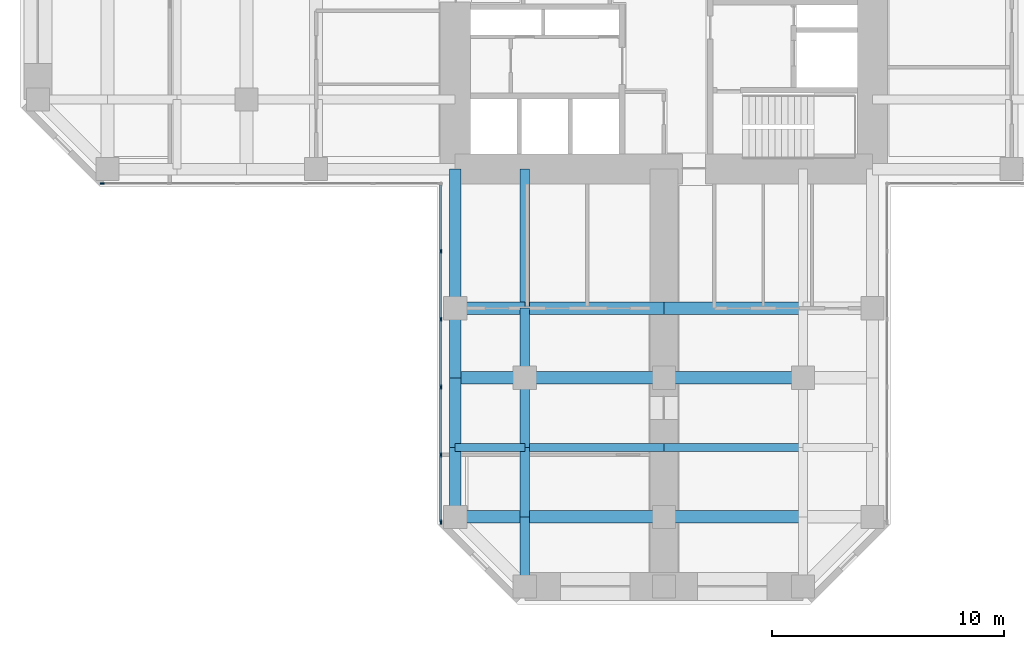
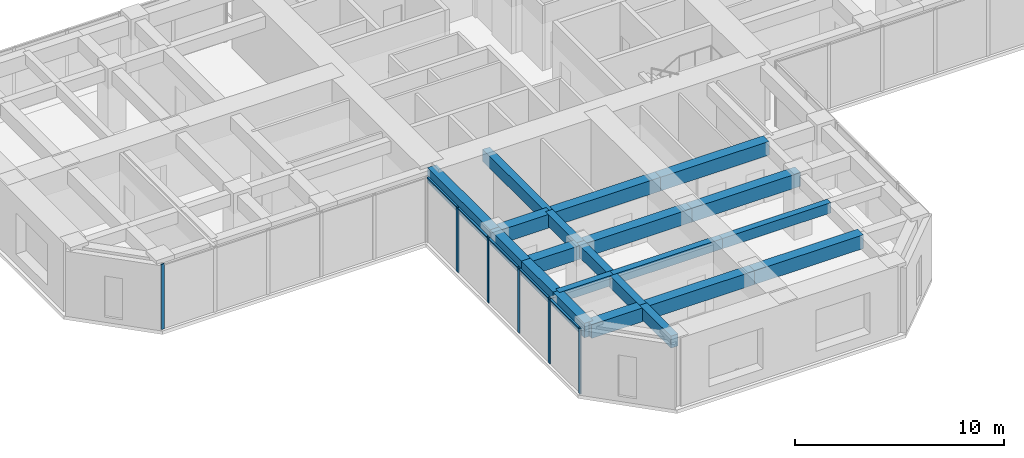
# One storey, part 2 of 12: 21 beams, 11 members, 2 elements without a shape of their own.
"""IFC4 building model written with IfcOpenShell, lengths in metres."""

from ifc_helpers import new_model, si_unit, direction, frame, origin, origin_2d, place, context, subcontext, project, spatial, rectangle, extrude, material, material_profile, profile_set, type_object, element, aggregate, save


model = new_model("IFC4")

# Units and contexts
model_context = context("Model", 3, precision=1e-05, world=origin(), true_north=direction((0.0, 1.0)))
body_context = subcontext(model_context, "Body", "Model", "MODEL_VIEW")
ifc_project = project(units=[si_unit("LENGTHUNIT", "METRE"), si_unit("AREAUNIT", "SQUARE_METRE"), si_unit("VOLUMEUNIT", "CUBIC_METRE"), si_unit("PLANEANGLEUNIT", "RADIAN"), si_unit("MASSUNIT", "GRAM", prefix="KILO")], contexts=[model_context])

# Site, building, storey
site_placement = place(None, origin())
site = spatial("IfcSite", under=ifc_project, at=site_placement, CompositionType="ELEMENT")
building_placement = place(site_placement, origin())
building = spatial("IfcBuilding", under=site, at=building_placement, Name="Torre Cruceta", CompositionType="ELEMENT")
storey_placement = place(building_placement, frame((0.0, 0.0, 140.5)))
storey = spatial("IfcBuildingStorey", under=building, at=storey_placement, Name="L34", CompositionType="ELEMENT", Elevation=140.5)

# Beams
ifc_material_1 = material(Name="Concrete G60 (fck 60 MPa)", Category="concrete")
ifc_material_profile_1 = material_profile(ifc_material_1, rectangle(XDim=0.39990234375, YDim=0.699951171875, at=origin_2d()), Name="RC 400X700")
ifc_profile_set_1 = profile_set([ifc_material_profile_1], Name="Concrete G60 (fck 60 MPa)")
beam_type_1 = type_object("IfcBeamType", Name="COLUMN LINE BEAM RC 400X700", PredefinedType="BEAM", material=ifc_profile_set_1)
beam_1_placement = place(storey_placement, frame((-6.0, -9.0, 3.449951171875), z_axis=(0.0, -1.0, 0.0), x_axis=(1.0, 0.0, 0.0)))
element("IfcBeam", 1, at=beam_1_placement, inside=storey, type_object=beam_type_1, Name="LB5 L34 S col- 1", PredefinedType="BEAM", context=body_context, shape_type="SweptSolid", body=[
    extrude(rectangle(XDim=0.39990234375, YDim=0.699951171875, at=origin_2d()), origin(), (0.0, 0.0, 1.0), 6.0),
])
for number, where, z_axis, x_axis, name in (
    (2, (-6.0, -15.0, 3.449951171875), (0.0, -1.0, 0.0), (1.0, 0.0, 0.0), "LB5 L34 S col- 2"),
    (3, (-6.0, -18.0, 3.449951171875), (0.0, -1.0, 0.0), (1.0, 0.0, 0.0), "LB5 L34 S col- 3"),
    (4, (-6.0, -21.0, 3.449951171875), (0.0, -1.0, 0.0), (1.0, 0.0, 0.0), "LB5 L34 S col- 4"),
    (5, (-6.0, -24.0, 3.449951171875), (0.0, -1.0, 0.0), (1.0, 0.0, 0.0), "LB5 L34 S col- 5"),
):
    element("IfcBeam", number, at=place(storey_placement, frame(where, z_axis=z_axis, x_axis=x_axis)), inside=storey, type_object=beam_type_1, Name=name, PredefinedType="BEAM", context=body_context, shape_type="SweptSolid", body=[
        extrude(rectangle(XDim=0.39990234375, YDim=0.699951171875, at=origin_2d()), origin(), (0.0, 0.0, 1.0), 3.0),
    ])
ifc_material_2 = material(Name="Concrete G60 (fck 60 MPa)", Category="concrete")
ifc_material_profile_2 = material_profile(ifc_material_2, rectangle(XDim=0.550048828125, YDim=0.800048828125, at=origin_2d()), Name="RC 550X800")
ifc_profile_set_2 = profile_set([ifc_material_profile_2], Name="Concrete G60 (fck 60 MPa)")
beam_type_2 = type_object("IfcBeamType", Name="CROSS BEAM RC 550X800", PredefinedType="BEAM", material=ifc_profile_set_2)
beam_2_placement = place(storey_placement, frame((-9.0, -15.0, 3.39990234375), z_axis=(1.0, 0.0, 0.0), x_axis=(0.0, 1.0, 0.0)))
element("IfcBeam", 6, at=beam_2_placement, inside=storey, type_object=beam_type_2, Name="GB5 L34 S cross15 1", PredefinedType="BEAM", context=body_context, shape_type="SweptSolid", body=[
    extrude(rectangle(XDim=0.550048828125, YDim=0.800048828125, at=origin_2d()), origin(), (0.0, 0.0, 1.0), 3.0),
])
for number, where, z_axis, x_axis, name in (
    (7, (-6.0, -15.0, 3.39990234375), (1.0, 0.0, 0.0), (0.0, 1.0, 0.0), "GB5 L34 S cross15 2"),
    (8, (0.0, -15.0, 3.39990234375), (1.0, 0.0, 0.0), (0.0, 1.0, 0.0), "GB5 L34 S cross15 3"),
):
    element("IfcBeam", number, at=place(storey_placement, frame(where, z_axis=z_axis, x_axis=x_axis)), inside=storey, type_object=beam_type_2, Name=name, PredefinedType="BEAM", context=body_context, shape_type="SweptSolid", body=[
        extrude(rectangle(XDim=0.550048828125, YDim=0.800048828125, at=origin_2d()), origin(), (0.0, 0.0, 1.0), 6.0),
    ])
beam_3_placement = place(storey_placement, frame((-9.0, -18.0, 3.39990234375), z_axis=(1.0, 0.0, 0.0), x_axis=(0.0, 1.0, 0.0)))
element("IfcBeam", 9, at=beam_3_placement, inside=storey, type_object=beam_type_2, Name="GB5 L34 S cross18 1", PredefinedType="BEAM", context=body_context, shape_type="SweptSolid", body=[
    extrude(rectangle(XDim=0.550048828125, YDim=0.800048828125, at=origin_2d()), origin(), (0.0, 0.0, 1.0), 3.0),
])
for number, where, z_axis, x_axis, name in (
    (10, (-6.0, -18.0, 3.39990234375), (1.0, 0.0, 0.0), (0.0, 1.0, 0.0), "GB5 L34 S cross18 2"),
    (11, (0.0, -18.0, 3.39990234375), (1.0, 0.0, 0.0), (0.0, 1.0, 0.0), "GB5 L34 S cross18 3"),
):
    element("IfcBeam", number, at=place(storey_placement, frame(where, z_axis=z_axis, x_axis=x_axis)), inside=storey, type_object=beam_type_2, Name=name, PredefinedType="BEAM", context=body_context, shape_type="SweptSolid", body=[
        extrude(rectangle(XDim=0.550048828125, YDim=0.800048828125, at=origin_2d()), origin(), (0.0, 0.0, 1.0), 6.0),
    ])
beam_4_placement = place(storey_placement, frame((-9.0, -24.0, 3.39990234375), z_axis=(1.0, 0.0, 0.0), x_axis=(0.0, 1.0, 0.0)))
element("IfcBeam", 12, at=beam_4_placement, inside=storey, type_object=beam_type_2, Name="GB5 L34 S cross24 1", PredefinedType="BEAM", context=body_context, shape_type="SweptSolid", body=[
    extrude(rectangle(XDim=0.550048828125, YDim=0.800048828125, at=origin_2d()), origin(), (0.0, 0.0, 1.0), 3.0),
])
for number, where, z_axis, x_axis, name in (
    (13, (-6.0, -24.0, 3.39990234375), (1.0, 0.0, 0.0), (0.0, 1.0, 0.0), "GB5 L34 S cross24 2"),
    (14, (0.0, -24.0, 3.39990234375), (1.0, 0.0, 0.0), (0.0, 1.0, 0.0), "GB5 L34 S cross24 3"),
):
    element("IfcBeam", number, at=place(storey_placement, frame(where, z_axis=z_axis, x_axis=x_axis)), inside=storey, type_object=beam_type_2, Name=name, PredefinedType="BEAM", context=body_context, shape_type="SweptSolid", body=[
        extrude(rectangle(XDim=0.550048828125, YDim=0.800048828125, at=origin_2d()), origin(), (0.0, 0.0, 1.0), 6.0),
    ])

# Curtain wall, member
ifc_material_3 = material(Name="Aluminium unitised curtain wall", Category="aluminium")
curtain_wall_type = type_object("IfcCurtainWallType", Name="CURTAIN WALL CW-B OFFICE MID RISE", PredefinedType="USERDEFINED", material=ifc_material_3)
curtain_wall_1_placement = place(storey_placement, origin())
curtain_wall_1 = element("IfcCurtainWall", 15, at=curtain_wall_1_placement, inside=storey, type_object=curtain_wall_type, Name="CW-B L34 W side 14", ObjectType="UNITISED", PredefinedType="USERDEFINED")
ifc_material_4 = material(Name="Aluminium mullion", Category="aluminium")
ifc_material_profile_3 = material_profile(ifc_material_4, rectangle(XDim=0.06494140625, YDim=0.179931640625, at=origin_2d()), Name="AL 65X180")
ifc_profile_set_3 = profile_set([ifc_material_profile_3], Name="Aluminium mullion")
member_type_1 = type_object("IfcMemberType", Name="CW-B MULLION 65X180", PredefinedType="MULLION", material=ifc_profile_set_3)
member_1_placement = place(storey_placement, frame((-24.224365234375, -9.6201171875, 0.0), z_axis=(0.0, 0.0, 1.0), x_axis=(0.0, 1.0, 0.0)))
member_1 = element("IfcMember", 16, at=member_1_placement, type_object=member_type_1, Name="CW-B mullion 1", PredefinedType="MULLION", context=body_context, shape_type="SweptSolid", body=[
    extrude(rectangle(XDim=0.06494140625, YDim=0.179931640625, at=origin_2d()), origin(), (0.0, 0.0, 1.0), 3.800048828125),
])
aggregate(curtain_wall_1, [member_1])

# Curtain wall, members
curtain_wall_2_placement = place(storey_placement, origin())
curtain_wall_2 = element("IfcCurtainWall", 17, at=curtain_wall_2_placement, inside=storey, type_object=curtain_wall_type, Name="CW-B L34 S side 15", ObjectType="UNITISED", PredefinedType="USERDEFINED")
member_2_placement = place(storey_placement, frame((-9.6201171875, -12.54736328125, 0.0), z_axis=(0.0, 0.0, 1.0), x_axis=(1.0, 0.0, 0.0)))
member_2 = element("IfcMember", 18, at=member_2_placement, type_object=member_type_1, Name="CW-B mullion 2", PredefinedType="MULLION", context=body_context, shape_type="SweptSolid", body=[
    extrude(rectangle(XDim=0.06494140625, YDim=0.179931640625, at=origin_2d()), origin(), (0.0, 0.0, 1.0), 3.800048828125),
])
member_3_placement = place(storey_placement, frame((-9.6201171875, -15.474609375, 0.0), z_axis=(0.0, 0.0, 1.0), x_axis=(1.0, 0.0, 0.0)))
member_3 = element("IfcMember", 19, at=member_3_placement, type_object=member_type_1, Name="CW-B mullion 3", PredefinedType="MULLION", context=body_context, shape_type="SweptSolid", body=[
    extrude(rectangle(XDim=0.06494140625, YDim=0.179931640625, at=origin_2d()), origin(), (0.0, 0.0, 1.0), 3.800048828125),
])
member_4_placement = place(storey_placement, frame((-9.6201171875, -18.402099609375, 0.0), z_axis=(0.0, 0.0, 1.0), x_axis=(1.0, 0.0, 0.0)))
member_4 = element("IfcMember", 20, at=member_4_placement, type_object=member_type_1, Name="CW-B mullion 4", PredefinedType="MULLION", context=body_context, shape_type="SweptSolid", body=[
    extrude(rectangle(XDim=0.06494140625, YDim=0.179931640625, at=origin_2d()), origin(), (0.0, 0.0, 1.0), 3.800048828125),
])
member_5_placement = place(storey_placement, frame((-9.6201171875, -21.329345703125, 0.0), z_axis=(0.0, 0.0, 1.0), x_axis=(1.0, 0.0, 0.0)))
member_5 = element("IfcMember", 21, at=member_5_placement, type_object=member_type_1, Name="CW-B mullion 5", PredefinedType="MULLION", context=body_context, shape_type="SweptSolid", body=[
    extrude(rectangle(XDim=0.06494140625, YDim=0.179931640625, at=origin_2d()), origin(), (0.0, 0.0, 1.0), 3.800048828125),
])
member_6_placement = place(storey_placement, frame((-9.6201171875, -24.224365234375, 0.0), z_axis=(0.0, 0.0, 1.0), x_axis=(1.0, 0.0, 0.0)))
member_6 = element("IfcMember", 22, at=member_6_placement, type_object=member_type_1, Name="CW-B mullion 6", PredefinedType="MULLION", context=body_context, shape_type="SweptSolid", body=[
    extrude(rectangle(XDim=0.06494140625, YDim=0.179931640625, at=origin_2d()), origin(), (0.0, 0.0, 1.0), 3.800048828125),
])
ifc_material_5 = material(Name="Aluminium transom", Category="aluminium")
ifc_material_profile_4 = material_profile(ifc_material_5, rectangle(XDim=0.110107421875, YDim=0.06494140625, at=origin_2d()), Name="AL 110X65")
ifc_profile_set_4 = profile_set([ifc_material_profile_4], Name="Aluminium transom")
member_type_2 = type_object("IfcMemberType", Name="CW-B TRANSOM 65X110", PredefinedType="USERDEFINED", material=ifc_profile_set_4)
member_7_placement = place(storey_placement, frame((-9.6201171875, -9.68505859375, 3.767578125), z_axis=(0.0, -1.0, 0.0), x_axis=(1.0, 0.0, 0.0)))
member_7 = element("IfcMember", 23, at=member_7_placement, type_object=member_type_2, Name="CW-B transom 1", ObjectType="TRANSOM", PredefinedType="USERDEFINED", context=body_context, shape_type="SweptSolid", body=[
    extrude(rectangle(XDim=0.110107421875, YDim=0.06494140625, at=origin_2d()), origin(), (0.0, 0.0, 1.0), 2.829833984375),
])
member_8_placement = place(storey_placement, frame((-9.6201171875, -12.579833984375, 3.767578125), z_axis=(0.0, -1.0, 0.0), x_axis=(1.0, 0.0, 0.0)))
member_8 = element("IfcMember", 24, at=member_8_placement, type_object=member_type_2, Name="CW-B transom 2", ObjectType="TRANSOM", PredefinedType="USERDEFINED", context=body_context, shape_type="SweptSolid", body=[
    extrude(rectangle(XDim=0.110107421875, YDim=0.06494140625, at=origin_2d()), origin(), (0.0, 0.0, 1.0), 2.8623046875),
])
member_9_placement = place(storey_placement, frame((-9.6201171875, -15.50732421875, 3.767578125), z_axis=(0.0, -1.0, 0.0), x_axis=(1.0, 0.0, 0.0)))
member_9 = element("IfcMember", 25, at=member_9_placement, type_object=member_type_2, Name="CW-B transom 3", ObjectType="TRANSOM", PredefinedType="USERDEFINED", context=body_context, shape_type="SweptSolid", body=[
    extrude(rectangle(XDim=0.110107421875, YDim=0.06494140625, at=origin_2d()), origin(), (0.0, 0.0, 1.0), 2.8623046875),
])
member_10_placement = place(storey_placement, frame((-9.6201171875, -18.4345703125, 3.767578125), z_axis=(0.0, -1.0, 0.0), x_axis=(1.0, 0.0, 0.0)))
member_10 = element("IfcMember", 26, at=member_10_placement, type_object=member_type_2, Name="CW-B transom 4", ObjectType="TRANSOM", PredefinedType="USERDEFINED", context=body_context, shape_type="SweptSolid", body=[
    extrude(rectangle(XDim=0.110107421875, YDim=0.06494140625, at=origin_2d()), origin(), (0.0, 0.0, 1.0), 2.8623046875),
])
member_11_placement = place(storey_placement, frame((-9.6201171875, -21.362060546875, 3.767578125), z_axis=(0.0, -1.0, 0.0), x_axis=(1.0, 0.0, 0.0)))
member_11 = element("IfcMember", 27, at=member_11_placement, type_object=member_type_2, Name="CW-B transom 5", ObjectType="TRANSOM", PredefinedType="USERDEFINED", context=body_context, shape_type="SweptSolid", body=[
    extrude(rectangle(XDim=0.110107421875, YDim=0.06494140625, at=origin_2d()), origin(), (0.0, 0.0, 1.0), 2.829833984375),
])
aggregate(curtain_wall_2, [member_2, member_3, member_4, member_5, member_6, member_7, member_8, member_9, member_10, member_11])

# Beams
ifc_material_6 = material(Name="Concrete G60 (fck 60 MPa)", Category="concrete")
ifc_material_profile_5 = material_profile(ifc_material_6, rectangle(XDim=0.35009765625, YDim=0.60009765625, at=origin_2d()), Name="RC 350X600")
ifc_profile_set_5 = profile_set([ifc_material_profile_5], Name="Concrete G60 (fck 60 MPa)")
beam_type_3 = type_object("IfcBeamType", Name="SECONDARY BEAM RC 350X600", PredefinedType="JOIST", material=ifc_profile_set_5)
beam_5_placement = place(storey_placement, frame((-9.0, -21.0, 3.5), z_axis=(1.0, 0.0, 0.0), x_axis=(0.0, 1.0, 0.0)))
element("IfcBeam", 28, at=beam_5_placement, inside=storey, type_object=beam_type_3, Name="JB5 L34 S sec21 1", PredefinedType="JOIST", context=body_context, shape_type="SweptSolid", body=[
    extrude(rectangle(XDim=0.35009765625, YDim=0.60009765625, at=origin_2d()), origin(), (0.0, 0.0, 1.0), 3.0),
])
for number, where, z_axis, x_axis, name in (
    (29, (-6.0, -21.0, 3.5), (1.0, 0.0, 0.0), (0.0, 1.0, 0.0), "JB5 L34 S sec21 2"),
    (30, (0.0, -21.0, 3.5), (1.0, 0.0, 0.0), (0.0, 1.0, 0.0), "JB5 L34 S sec21 3"),
):
    element("IfcBeam", number, at=place(storey_placement, frame(where, z_axis=z_axis, x_axis=x_axis)), inside=storey, type_object=beam_type_3, Name=name, PredefinedType="JOIST", context=body_context, shape_type="SweptSolid", body=[
        extrude(rectangle(XDim=0.35009765625, YDim=0.60009765625, at=origin_2d()), origin(), (0.0, 0.0, 1.0), 6.0),
    ])
ifc_material_7 = material(Name="Concrete G60 (fck 60 MPa)", Category="concrete")
ifc_material_profile_6 = material_profile(ifc_material_7, rectangle(XDim=0.5, YDim=0.85009765625, at=origin_2d()), Name="RC 500X850")
ifc_profile_set_6 = profile_set([ifc_material_profile_6], Name="Concrete G60 (fck 60 MPa)")
beam_type_4 = type_object("IfcBeamType", Name="SPANDREL BEAM RC 500X850", PredefinedType="SPANDREL", material=ifc_profile_set_6)
beam_6_placement = place(storey_placement, frame((-9.0, -9.0, 3.375), z_axis=(0.0, -1.0, 0.0), x_axis=(1.0, 0.0, 0.0)))
element("IfcBeam", 31, at=beam_6_placement, inside=storey, type_object=beam_type_4, Name="SB5 L34 S side- 1", PredefinedType="SPANDREL", context=body_context, shape_type="SweptSolid", body=[
    extrude(rectangle(XDim=0.5, YDim=0.85009765625, at=origin_2d()), origin(), (0.0, 0.0, 1.0), 6.0),
])
for number, where, z_axis, x_axis, name in (
    (32, (-9.0, -15.0, 3.375), (0.0, -1.0, 0.0), (1.0, 0.0, 0.0), "SB5 L34 S side- 2"),
    (33, (-9.0, -18.0, 3.375), (0.0, -1.0, 0.0), (1.0, 0.0, 0.0), "SB5 L34 S side- 3"),
    (34, (-9.0, -21.0, 3.375), (0.0, -1.0, 0.0), (1.0, 0.0, 0.0), "SB5 L34 S side- 4"),
):
    element("IfcBeam", number, at=place(storey_placement, frame(where, z_axis=z_axis, x_axis=x_axis)), inside=storey, type_object=beam_type_4, Name=name, PredefinedType="SPANDREL", context=body_context, shape_type="SweptSolid", body=[
        extrude(rectangle(XDim=0.5, YDim=0.85009765625, at=origin_2d()), origin(), (0.0, 0.0, 1.0), 3.0),
    ])

save(model, "model.ifc")
